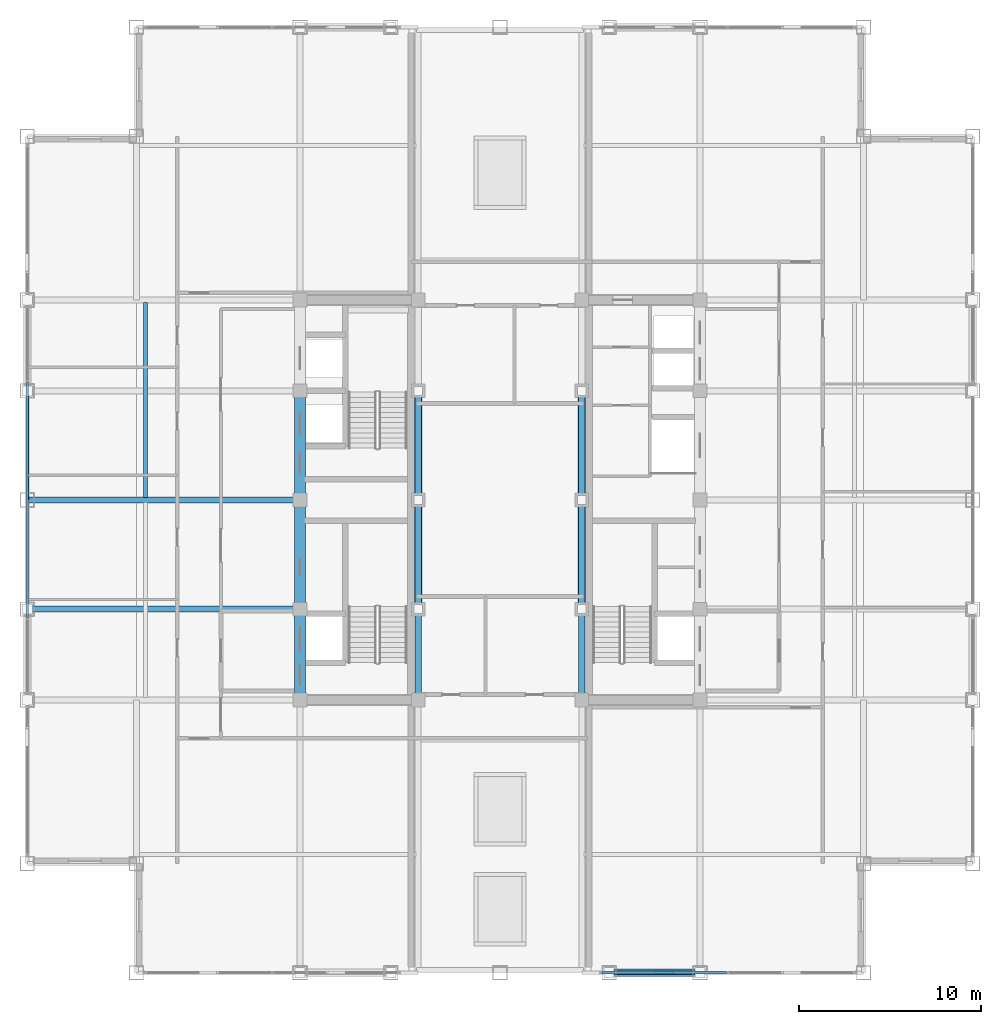
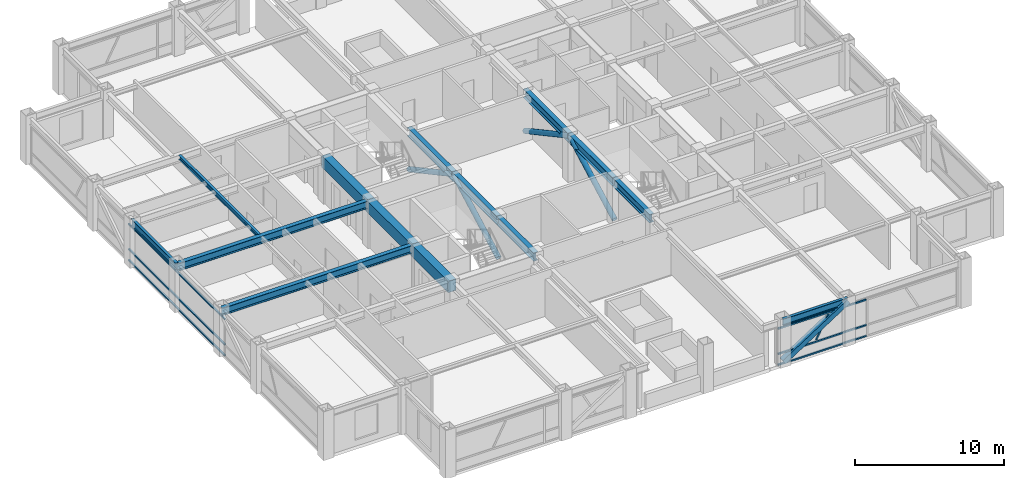
# One storey, part 8 of 29: 14 beams, 12 members, 2 elements without a shape of their own.
"""IFC4 building model written with IfcOpenShell, lengths in metres."""

import ifcopenshell
import ifcopenshell.guid

model = None  # the IFC model being written
_history = None  # IfcOwnerHistory: only IFC2X3 demands one
_inside = {}  # id of a spatial element -> (the spatial element, [elements in it])
_under = {}  # id of a project, library or spatial element -> (it, [spatial elements below it])
_declared = {}  # id of a project -> (the project, [libraries it declares])
_typed = {}  # id of a type object -> (the type object, [elements of that type])
_made_of = {}  # id of a material, layer set ... -> (it, [elements and type objects made of it])


def new_model(schema):
    """Start an empty IFC model of exactly this schema.

    Asked for "IFC4X3", IfcOpenShell would pick the latest addendum, in which some entities
    have other attributes; the version numbers below select the first issue.
    IFC2X3 requires an IfcOwnerHistory on every rooted entity: one is made here for all.
    """
    global model, _history
    if schema == "IFC4X3":
        model = ifcopenshell.file(schema_version=(4, 3, 0, 0))
    else:
        model = ifcopenshell.file(schema=schema)
    _inside.clear()
    _under.clear()
    _declared.clear()
    _typed.clear()
    _made_of.clear()
    _history = None
    if model.schema == "IFC2X3":
        org = make("IfcOrganization", Name="unknown")
        user = make(
            "IfcPersonAndOrganization",
            ThePerson=make("IfcPerson", FamilyName="unknown"),
            TheOrganization=org,
        )
        app = make(
            "IfcApplication",
            ApplicationDeveloper=org,
            Version="unknown",
            ApplicationFullName="unknown",
            ApplicationIdentifier="unknown",
        )
        _history = make(
            "IfcOwnerHistory",
            OwningUser=user,
            OwningApplication=app,
            ChangeAction="ADDED",
            CreationDate=0,
        )
    return model


def make(cls, **values):
    """One entity of the class cls with the attributes given. An attribute that is None is left unset."""
    return model.create_entity(
        cls, **{name: value for name, value in values.items() if value is not None}
    )


def rooted(cls, **values):
    """An entity with a GlobalId (a new one), such as an element, a storey or a relation."""
    return make(cls, GlobalId=ifcopenshell.guid.new(), OwnerHistory=_history, **values)


def si_unit(unit_type, name, prefix=None):
    """IfcSIUnit, for example si_unit("LENGTHUNIT", "METRE", prefix="MILLI")."""
    return make("IfcSIUnit", UnitType=unit_type, Prefix=prefix, Name=name)


def assignment(units):
    """IfcUnitAssignment: the units of a project."""
    return None if units is None else make("IfcUnitAssignment", Units=units)


def point(xyz):
    """IfcCartesianPoint."""
    return None if xyz is None else make("IfcCartesianPoint", Coordinates=xyz)


def direction(xyz):
    """IfcDirection."""
    return None if xyz is None else make("IfcDirection", DirectionRatios=xyz)


def frame(location, z_axis=None, x_axis=None):
    """IfcAxis2Placement3D, a coordinate frame: its origin and axes. An axis left out is left unset."""
    return make(
        "IfcAxis2Placement3D",
        Location=point(location),
        Axis=direction(z_axis),
        RefDirection=direction(x_axis),
    )


def frame_2d(location, x_axis=None):
    """IfcAxis2Placement2D, a coordinate frame in the plane: its origin and x axis."""
    return make(
        "IfcAxis2Placement2D", Location=point(location), RefDirection=direction(x_axis)
    )


def origin():
    """The frame at (0, 0, 0) with its axes left unset."""
    return frame((0.0, 0.0, 0.0))


def origin_2d():
    """The frame at (0, 0) in the plane with its x axis left unset."""
    return frame_2d((0.0, 0.0))


def place(relative_to, where):
    """IfcLocalPlacement: puts the frame where relative to a parent placement (None: the world)."""
    return make(
        "IfcLocalPlacement", PlacementRelTo=relative_to, RelativePlacement=where
    )


def context(
    kind, dimensions, precision=None, world=None, true_north=None, identifier=None
):
    """IfcGeometricRepresentationContext, for example the 3D "Model" context."""
    return make(
        "IfcGeometricRepresentationContext",
        ContextIdentifier=identifier,
        ContextType=kind,
        CoordinateSpaceDimension=dimensions,
        Precision=precision,
        WorldCoordinateSystem=world,
        TrueNorth=true_north,
    )


def subcontext(parent, identifier, kind, view, scale=None):
    """IfcGeometricRepresentationSubContext, for example "Body" below "Model"."""
    return make(
        "IfcGeometricRepresentationSubContext",
        ContextIdentifier=identifier,
        ContextType=kind,
        ParentContext=parent,
        TargetScale=scale,
        TargetView=view,
    )


def project(units=None, contexts=None):
    """IfcProject with its units and contexts."""
    return rooted(
        "IfcProject",
        Name="project",
        RepresentationContexts=contexts,
        UnitsInContext=assignment(units),
    )


def spatial(cls, under=None, at=None, **own):
    """A site, building, storey or space (cls), placed at a placement, below another one or the project."""
    s = rooted(cls, ObjectPlacement=at, **own)
    if under is not None:
        _under.setdefault(under.id(), (under, []))[1].append(s)
    return s


def profile(cls, at=None, kind="AREA", **sizes):
    """A parametric profile (cls). Its sizes go by their IFC names, for example OverallWidth=200.0."""
    return make(cls, ProfileType=kind, Position=at, **sizes)


def rectangle(**sizes):
    """IfcRectangleProfileDef."""
    return profile("IfcRectangleProfileDef", **sizes)


def hollow_rectangle(**sizes):
    """IfcRectangleHollowProfileDef."""
    return profile("IfcRectangleHollowProfileDef", **sizes)


def hollow_circle(**sizes):
    """IfcCircleHollowProfileDef."""
    return profile("IfcCircleHollowProfileDef", **sizes)


def i_section(**sizes):
    """IfcIShapeProfileDef."""
    return profile("IfcIShapeProfileDef", **sizes)


def extrude(swept, where, along, depth):
    """IfcExtrudedAreaSolid: the profile swept, set in the frame where, extruded along a direction by depth."""
    return make(
        "IfcExtrudedAreaSolid",
        SweptArea=swept,
        Position=where,
        ExtrudedDirection=direction(along),
        Depth=depth,
    )


def shape(context_of_items, identifier, shape_type, items):
    """IfcShapeRepresentation: the items that make up one representation, for example the "Body"."""
    return make(
        "IfcShapeRepresentation",
        ContextOfItems=context_of_items,
        RepresentationIdentifier=identifier,
        RepresentationType=shape_type,
        Items=items,
    )


def source(mapping_origin, context_of_items, identifier, shape_type, items):
    """IfcRepresentationMap: a shape defined once, which mapped items show again and again."""
    return make(
        "IfcRepresentationMap",
        MappingOrigin=mapping_origin,
        MappedRepresentation=shape(context_of_items, identifier, shape_type, items),
    )


def transform(
    local_origin,
    x_axis=None,
    y_axis=None,
    z_axis=None,
    scale=None,
    scale2=None,
    scale3=None,
    uniform=True,
):
    """IfcCartesianTransformationOperator3D, or its non-uniform kind. x_axis, y_axis, z_axis: its Axis1, 2, 3."""
    if uniform:
        return make(
            "IfcCartesianTransformationOperator3D",
            Axis1=direction(x_axis),
            Axis2=direction(y_axis),
            LocalOrigin=point(local_origin),
            Scale=scale,
            Axis3=direction(z_axis),
        )
    return make(
        "IfcCartesianTransformationOperator3DnonUniform",
        Axis1=direction(x_axis),
        Axis2=direction(y_axis),
        LocalOrigin=point(local_origin),
        Scale=scale,
        Axis3=direction(z_axis),
        Scale2=scale2,
        Scale3=scale3,
    )


def mapped(mapping_source, mapping_target):
    """IfcMappedItem: shows the shape of a source again, moved by a transform."""
    return make(
        "IfcMappedItem", MappingSource=mapping_source, MappingTarget=mapping_target
    )


def material(Name=None, Category=None):
    """IfcMaterial."""
    return make("IfcMaterial", Name=Name, Category=Category)


def material_profile(
    of_material, cross_section, Name=None, Category=None, Priority=None
):
    """IfcMaterialProfile: a cross section and its material."""
    return make(
        "IfcMaterialProfile",
        Name=Name,
        Material=of_material,
        Profile=cross_section,
        Priority=Priority,
        Category=Category,
    )


def profile_set(profiles, Name=None, composite=None):
    """IfcMaterialProfileSet."""
    return make(
        "IfcMaterialProfileSet",
        Name=Name,
        MaterialProfiles=profiles,
        CompositeProfile=composite,
    )


def made_of(thing, what):
    """Note that an element or type object is made of a material, layer set ...; save() writes the relation."""
    if what is not None:
        _made_of.setdefault(what.id(), (what, []))[1].append(thing)
    return thing


def type_object(cls, material=None, **own):
    """A type object (cls), such as IfcWallType, which elements share."""
    return made_of(rooted(cls, **own), material)


def element(
    cls,
    number,
    at=None,
    inside=None,
    cuts=None,
    type_object=None,
    material=None,
    context=None,
    identifier="Body",
    shape_type=None,
    held_by="IfcProductDefinitionShape",
    body=None,
    shapes=None,
    **own,
):
    """One element of the class cls, such as IfcWall. Its Tag is "e" and its number.

    at: its placement. inside: the storey or other place that contains it. cuts: it is an
    opening in that element (IfcRelVoidsElement). A single representation is given by context,
    identifier, shape_type and body (its items); several are given by shapes. held_by: the class
    of the entity that holds the representations. save() writes the other relations.
    """
    e = rooted(cls, Tag="e%d" % number, ObjectPlacement=at, **own)
    if body is not None:
        shapes = [shape(context, identifier, shape_type, body)]
    if shapes is not None:
        e.Representation = make(held_by, Representations=shapes)
    if inside is not None:
        _inside.setdefault(inside.id(), (inside, []))[1].append(e)
    if cuts is not None:
        rooted(
            "IfcRelVoidsElement", RelatingBuildingElement=cuts, RelatedOpeningElement=e
        )
    if type_object is not None:
        _typed.setdefault(type_object.id(), (type_object, []))[1].append(e)
    return made_of(e, material)


def aggregate(whole, parts):
    """IfcRelAggregates: a whole, such as a stair, and the parts it consists of."""
    return rooted("IfcRelAggregates", RelatingObject=whole, RelatedObjects=parts)


def save(model, path):
    """Write the relations noted so far, then the file.

    IfcRelAggregates (storeys below a building ...), IfcRelContainedInSpatialStructure (elements
    in a storey), IfcRelDefinesByType, IfcRelAssociatesMaterial and IfcRelDeclares: one each for
    every whole, place, type object, material and project.
    """
    for whole, parts in _under.values():
        aggregate(whole, parts)
    for where, things in _inside.values():
        rooted(
            "IfcRelContainedInSpatialStructure",
            RelatedElements=things,
            RelatingStructure=where,
        )
    for kind, things in _typed.values():
        rooted("IfcRelDefinesByType", RelatedObjects=things, RelatingType=kind)
    for what, things in _made_of.values():
        rooted("IfcRelAssociatesMaterial", RelatedObjects=things, RelatingMaterial=what)
    for by, libraries in _declared.values():
        rooted("IfcRelDeclares", RelatingContext=by, RelatedDefinitions=libraries)
    model.write(path)


model = new_model("IFC4")

# Units and contexts
model_context = context("Model", 3, precision=1e-05, world=origin(), true_north=direction((0.0, 1.0)))
body_context = subcontext(model_context, "Body", "Model", "MODEL_VIEW")
ifc_project = project(units=[si_unit("LENGTHUNIT", "METRE"), si_unit("AREAUNIT", "SQUARE_METRE"), si_unit("VOLUMEUNIT", "CUBIC_METRE"), si_unit("PLANEANGLEUNIT", "RADIAN"), si_unit("MASSUNIT", "GRAM", prefix="KILO")], contexts=[model_context])

# Site, building, storey
site_placement = place(None, origin())
site = spatial("IfcSite", under=ifc_project, at=site_placement, CompositionType="ELEMENT")
building_placement = place(site_placement, origin())
building = spatial("IfcBuilding", under=site, at=building_placement, Name="Khorayat Bourse Tower", CompositionType="ELEMENT")
storey_placement = place(building_placement, frame((0.0, 0.0, 346.300048828125)))
storey = spatial("IfcBuildingStorey", under=building, at=storey_placement, Name="L82", CompositionType="ELEMENT", Elevation=346.300048828125)

# Beams
ifc_material_1 = material(Name="Steel ASTM A992 Grade 50", Category="steel")
ifc_material_profile_1 = material_profile(ifc_material_1, i_section(OverallWidth=0.35498046875, OverallDepth=0.695068359375, WebThickness=0.015380859375, FlangeThickness=0.02490234375, FilletRadius=0.01806640625, at=origin_2d()), Name="W690X217")
ifc_profile_set_1 = profile_set([ifc_material_profile_1], Name="Steel ASTM A992 Grade 50")
beam_type_1 = type_object("IfcBeamType", Name="BM-GIRD-690", PredefinedType="BEAM", material=ifc_profile_set_1)
shared_shape_1 = source(origin(), body_context, "Body", "SweptSolid", [
    extrude(i_section(OverallWidth=0.35498046875, OverallDepth=0.695068359375, WebThickness=0.015380859375, FlangeThickness=0.02490234375, FilletRadius=0.01806640625, at=origin_2d()), origin(), (0.0, 0.0, 1.0), 5.0),
])
for number, where, z_axis, x_axis, name in (
    (1, (-4.5, -11.0, 3.392333984375), (0.0, 1.0, 0.0), (-1.0, 0.0, 0.0), "L82 BM-GIRD-690 BM-L82-CRX-05"),
    (2, (4.5, -11.0, 3.392333984375), (0.0, 1.0, 0.0), (-1.0, 0.0, 0.0), "L82 BM-GIRD-690 BM-L82-CRX-09"),
):
    element("IfcBeam", number, at=place(storey_placement, frame(where, z_axis=z_axis, x_axis=x_axis)), inside=storey, type_object=beam_type_1, Name=name, PredefinedType="BEAM", context=body_context, shape_type="MappedRepresentation", body=[
        mapped(shared_shape_1, transform((0.0, 0.0, 0.0), scale=1.0)),
    ])
shared_shape_2 = source(origin(), body_context, "Body", "SweptSolid", [
    extrude(i_section(OverallWidth=0.35498046875, OverallDepth=0.695068359375, WebThickness=0.015380859375, FlangeThickness=0.02490234375, FilletRadius=0.01806640625, at=origin_2d()), origin(), (0.0, 0.0, 1.0), 6.0),
])
for number, where, z_axis, x_axis, name in (
    (3, (-4.5, -6.0, 3.392333984375), (0.0, 1.0, 0.0), (-1.0, 0.0, 0.0), "L82 BM-GIRD-690 BM-L82-CRX-06"),
    (4, (-4.5, 0.0, 3.392333984375), (0.0, 1.0, 0.0), (-1.0, 0.0, 0.0), "L82 BM-GIRD-690 BM-L82-CRX-07"),
    (5, (4.5, -6.0, 3.392333984375), (0.0, 1.0, 0.0), (-1.0, 0.0, 0.0), "L82 BM-GIRD-690 BM-L82-CRX-10"),
    (6, (4.5, 0.0, 3.392333984375), (0.0, 1.0, 0.0), (-1.0, 0.0, 0.0), "L82 BM-GIRD-690 BM-L82-CRX-11"),
):
    element("IfcBeam", number, at=place(storey_placement, frame(where, z_axis=z_axis, x_axis=x_axis)), inside=storey, type_object=beam_type_1, Name=name, PredefinedType="BEAM", context=body_context, shape_type="MappedRepresentation", body=[
        mapped(shared_shape_2, transform((0.0, 0.0, 0.0), scale=1.0)),
    ])
ifc_material_2 = material(Name="Concrete C60/75", Category="concrete")
ifc_material_profile_2 = material_profile(ifc_material_2, rectangle(XDim=0.60009765625, YDim=0.949951171875, at=origin_2d()), Name="RC 600x950")
ifc_profile_set_2 = profile_set([ifc_material_profile_2], Name="Concrete C60/75")
beam_type_2 = type_object("IfcBeamType", Name="BM-COUP-950", PredefinedType="BEAM", material=ifc_profile_set_2)
shared_shape_3 = source(origin(), body_context, "Body", "SweptSolid", [
    extrude(rectangle(XDim=0.60009765625, YDim=0.949951171875, at=origin_2d()), origin(), (0.0, 0.0, 1.0), 5.0),
])
beam_1_placement = place(storey_placement, frame((-11.0, -11.0, 3.264892578125), z_axis=(0.0, 1.0, 0.0), x_axis=(-1.0, 0.0, 0.0)))
element("IfcBeam", 7, at=beam_1_placement, inside=storey, type_object=beam_type_2, Name="L82 BM-COUP-950 BM-L82-CRX-01", PredefinedType="BEAM", context=body_context, shape_type="MappedRepresentation", body=[
    mapped(shared_shape_3, transform((0.0, 0.0, 0.0), scale=1.0)),
])
shared_shape_4 = source(origin(), body_context, "Body", "SweptSolid", [
    extrude(rectangle(XDim=0.60009765625, YDim=0.949951171875, at=origin_2d()), origin(), (0.0, 0.0, 1.0), 6.0),
])
for number, where, z_axis, x_axis, name in (
    (8, (-11.0, -6.0, 3.264892578125), (0.0, 1.0, 0.0), (-1.0, 0.0, 0.0), "L82 BM-COUP-950 BM-L82-CRX-02"),
    (9, (-11.0, 0.0, 3.264892578125), (0.0, 1.0, 0.0), (-1.0, 0.0, 0.0), "L82 BM-COUP-950 BM-L82-CRX-03"),
):
    element("IfcBeam", number, at=place(storey_placement, frame(where, z_axis=z_axis, x_axis=x_axis)), inside=storey, type_object=beam_type_2, Name=name, PredefinedType="BEAM", context=body_context, shape_type="MappedRepresentation", body=[
        mapped(shared_shape_4, transform((0.0, 0.0, 0.0), scale=1.0)),
    ])
ifc_material_profile_3 = material_profile(ifc_material_1, i_section(OverallWidth=0.202880859375, OverallDepth=0.346923828125, WebThickness=0.0078125, FlangeThickness=0.013427734375, FilletRadius=0.010009765625, at=origin_2d()), Name="W360X64")
ifc_profile_set_3 = profile_set([ifc_material_profile_3], Name="Steel ASTM A992 Grade 50")
beam_type_3 = type_object("IfcBeamType", Name="BM-JOIST-360", PredefinedType="JOIST", material=ifc_profile_set_3)
shared_shape_5 = source(origin(), body_context, "Body", "SweptSolid", [
    extrude(i_section(OverallWidth=0.202880859375, OverallDepth=0.346923828125, WebThickness=0.0078125, FlangeThickness=0.013427734375, FilletRadius=0.010009765625, at=origin_2d()), origin(), (0.0, 0.0, 1.0), 10.740234375),
])
beam_2_placement = place(storey_placement, frame((-19.5, 0.1298828125, 3.56640625), z_axis=(0.0, 1.0, 0.0), x_axis=(-1.0, 0.0, 0.0)))
element("IfcBeam", 10, at=beam_2_placement, inside=storey, type_object=beam_type_3, Name="L82 BM-JOIST-360 BM-L82-JSTY-080", PredefinedType="JOIST", context=body_context, shape_type="MappedRepresentation", body=[
    mapped(shared_shape_5, transform((0.0, 0.0, 0.0), scale=1.0)),
])
ifc_material_profile_4 = material_profile(ifc_material_1, i_section(OverallWidth=0.214111328125, OverallDepth=0.549072265625, WebThickness=0.0146484375, FlangeThickness=0.023681640625, FilletRadius=0.013916015625, at=origin_2d()), Name="W530X138")
ifc_profile_set_4 = profile_set([ifc_material_profile_4], Name="Steel ASTM A992 Grade 50")
beam_type_4 = type_object("IfcBeamType", Name="BM-SPAN-530", PredefinedType="SPANDREL", material=ifc_profile_set_4)
shared_shape_6 = source(origin(), body_context, "Body", "SweptSolid", [
    extrude(i_section(OverallWidth=0.214111328125, OverallDepth=0.549072265625, WebThickness=0.0146484375, FlangeThickness=0.023681640625, FilletRadius=0.013916015625, at=origin_2d()), origin(), (0.0, 0.0, 1.0), 5.0),
])
beam_3_placement = place(storey_placement, frame((6.0, -26.0, 3.46533203125), z_axis=(1.0, 0.0, 0.0), x_axis=(0.0, 1.0, 0.0)))
element("IfcBeam", 11, at=beam_3_placement, inside=storey, type_object=beam_type_4, Name="L82 BM-SPAN-530 BM-L82-SPN-025", PredefinedType="SPANDREL", context=body_context, shape_type="MappedRepresentation", body=[
    mapped(shared_shape_6, transform((0.0, 0.0, 0.0), scale=1.0)),
])
shared_shape_7 = source(origin(), body_context, "Body", "SweptSolid", [
    extrude(i_section(OverallWidth=0.214111328125, OverallDepth=0.549072265625, WebThickness=0.0146484375, FlangeThickness=0.023681640625, FilletRadius=0.013916015625, at=origin_2d()), origin(), (0.0, 0.0, 1.0), 6.0),
])
beam_4_placement = place(storey_placement, frame((-26.0, 0.0, 3.46533203125), z_axis=(0.0, 1.0, 0.0), x_axis=(-1.0, 0.0, 0.0)))
element("IfcBeam", 12, at=beam_4_placement, inside=storey, type_object=beam_type_4, Name="L82 BM-SPAN-530 BM-L82-SPN-047", PredefinedType="SPANDREL", context=body_context, shape_type="MappedRepresentation", body=[
    mapped(shared_shape_7, transform((0.0, 0.0, 0.0), scale=1.0)),
])
ifc_material_profile_5 = material_profile(ifc_material_1, i_section(OverallWidth=0.324951171875, OverallDepth=0.615966796875, WebThickness=0.013916015625, FlangeThickness=0.021484375, FilletRadius=0.01611328125, at=origin_2d()), Name="W610X174")
ifc_profile_set_5 = profile_set([ifc_material_profile_5], Name="Steel ASTM A992 Grade 50")
beam_type_5 = type_object("IfcBeamType", Name="BM-GIRD-610", PredefinedType="BEAM", material=ifc_profile_set_5)
shared_shape_8 = source(origin(), body_context, "Body", "SweptSolid", [
    extrude(i_section(OverallWidth=0.324951171875, OverallDepth=0.615966796875, WebThickness=0.013916015625, FlangeThickness=0.021484375, FilletRadius=0.01611328125, at=origin_2d()), origin(), (0.0, 0.0, 1.0), 15.0),
])
for number, where, z_axis, x_axis, name in (
    (13, (-26.0, -6.0, 3.431884765625), (1.0, 0.0, 0.0), (0.0, 1.0, 0.0), "L82 BM-GIRD-610 BM-L82-RADX-064"),
    (14, (-26.0, 0.0, 3.431884765625), (1.0, 0.0, 0.0), (0.0, 1.0, 0.0), "L82 BM-GIRD-610 BM-L82-RADX-066"),
):
    element("IfcBeam", number, at=place(storey_placement, frame(where, z_axis=z_axis, x_axis=x_axis)), inside=storey, type_object=beam_type_5, Name=name, PredefinedType="BEAM", context=body_context, shape_type="MappedRepresentation", body=[
        mapped(shared_shape_8, transform((0.0, 0.0, 0.0), scale=1.0)),
    ])

# Members
ifc_material_3 = material(Name="Steel EN 10025-4 S460M", Category="steel")
ifc_material_profile_6 = material_profile(ifc_material_3, hollow_rectangle(XDim=0.39990234375, YDim=0.39990234375, WallThickness=0.02197265625, at=origin_2d()), Name="HSS 400x400x22")
ifc_profile_set_6 = profile_set([ifc_material_profile_6], Name="Steel EN 10025-4 S460M")
member_type_1 = type_object("IfcMemberType", Name="MBR-TUBE-400", PredefinedType="BRACE", material=ifc_profile_set_6)
shared_shape_9 = source(origin(), body_context, "Body", "SweptSolid", [
    extrude(hollow_rectangle(XDim=0.39990234375, YDim=0.39990234375, WallThickness=0.02197265625, at=origin_2d()), origin(), (0.0, 0.0, 1.0), 5.9580078125),
])
member_1_placement = place(storey_placement, frame((6.0, -26.0, 0.25), z_axis=(0.839210474455, 0.0, 0.543806748364), x_axis=(0.0, 1.0, 0.0)))
element("IfcMember", 15, at=member_1_placement, inside=storey, type_object=member_type_1, Name="L82 Perimeter Tube Brace 02", PredefinedType="BRACE", context=body_context, shape_type="MappedRepresentation", body=[
    mapped(shared_shape_9, transform((0.0, 0.0, 0.0), scale=1.0)),
])
ifc_material_4 = material(Name="Steel EN 10025-2 S355J2", Category="steel")
ifc_material_profile_7 = material_profile(ifc_material_4, hollow_circle(Radius=0.203125, WallThickness=0.02001953125, at=origin_2d()), Name="CHS 406x20")
ifc_profile_set_7 = profile_set([ifc_material_profile_7], Name="Steel EN 10025-2 S355J2")
member_type_2 = type_object("IfcMemberType", Name="MBR-STRUT-406", PredefinedType="STRUT", material=ifc_profile_set_7)
shared_shape_10 = source(origin(), body_context, "Body", "SweptSolid", [
    extrude(hollow_circle(Radius=0.203125, WallThickness=0.02001953125, at=origin_2d()), origin(), (0.0, 0.0, 1.0), 6.81884765625),
])
for number, where, z_axis, x_axis, name in (
    (16, (-4.5, -6.0, 0.25), (0.0, 0.879905996414, 0.475147805925), (-1.0, 0.0, 0.0), "L82 Wind Portal Bracing Strut 01"),
    (17, (-4.5, 6.0, 0.25), (0.0, -0.879905996414, 0.475147805925), (1.0, 0.0, 0.0), "L82 Wind Portal Bracing Strut 02"),
    (18, (4.5, -6.0, 0.25), (0.0, 0.879905996414, 0.475147805925), (-1.0, 0.0, 0.0), "L82 Wind Portal Bracing Strut 03"),
    (19, (4.5, 6.0, 0.25), (0.0, -0.879905996414, 0.475147805925), (1.0, 0.0, 0.0), "L82 Wind Portal Bracing Strut 04"),
):
    element("IfcMember", number, at=place(storey_placement, frame(where, z_axis=z_axis, x_axis=x_axis)), inside=storey, type_object=member_type_2, Name=name, PredefinedType="STRUT", context=body_context, shape_type="MappedRepresentation", body=[
        mapped(shared_shape_10, transform((0.0, 0.0, 0.0), scale=1.0)),
    ])

# Curtain wall, members
ifc_material_5 = material(Name="Aluminium EN AW-6063 T6", Category="aluminium")
curtain_wall_type = type_object("IfcCurtainWallType", Name="CW-SYS-06", PredefinedType="NOTDEFINED", material=ifc_material_5)
curtain_wall_1_placement = place(storey_placement, origin())
curtain_wall_1 = element("IfcCurtainWall", 20, at=curtain_wall_1_placement, inside=storey, type_object=curtain_wall_type, Name="L82 Curtain Wall CW-L82-S2", PredefinedType="NOTDEFINED")
ifc_material_profile_8 = material_profile(ifc_material_5, hollow_rectangle(XDim=0.1201171875, YDim=0.1201171875, WallThickness=0.0048828125, at=origin_2d()), Name="ALU 120x120x5")
ifc_profile_set_8 = profile_set([ifc_material_profile_8], Name="Aluminium EN AW-6063 T6")
member_type_3 = type_object("IfcMemberType", Name="CWM-DIAG-120", PredefinedType="MULLION", material=ifc_profile_set_8)
shared_shape_11 = source(origin(), body_context, "Body", "SweptSolid", [
    extrude(hollow_rectangle(XDim=0.1201171875, YDim=0.1201171875, WallThickness=0.0048828125, at=origin_2d()), origin(), (0.0, 0.0, 1.0), 2.0341796875),
])
member_2_placement = place(storey_placement, frame((8.56884765625, -26.0, 1.08984375), z_axis=(0.465696964104, 0.0, 0.884944256789), x_axis=(0.0, 1.0, 0.0)))
member_2 = element("IfcMember", 21, at=member_2_placement, type_object=member_type_3, Name="CW-L82-S2 Faceted Diagonal Mullion 1", PredefinedType="MULLION", context=body_context, shape_type="MappedRepresentation", body=[
    mapped(shared_shape_11, transform((0.0, 0.0, 0.0), scale=1.0)),
])
ifc_material_profile_9 = material_profile(ifc_material_5, hollow_rectangle(XDim=0.1201171875, YDim=0.1201171875, WallThickness=0.0048828125, at=origin_2d()), Name="ALU 120x120x5")
ifc_profile_set_9 = profile_set([ifc_material_profile_9], Name="Aluminium EN AW-6063 T6")
member_type_4 = type_object("IfcMemberType", Name="CWT-HORZ-120", PredefinedType="USERDEFINED", material=ifc_profile_set_9)
shared_shape_12 = source(origin(), body_context, "Body", "SweptSolid", [
    extrude(hollow_rectangle(XDim=0.1201171875, YDim=0.1201171875, WallThickness=0.0048828125, at=origin_2d()), origin(), (0.0, 0.0, 1.0), 6.844970703125),
])
member_3_placement = place(storey_placement, frame((5.6201171875, -26.0, 0.06005859375), z_axis=(1.0, 0.0, 0.0), x_axis=(0.0, 1.0, 0.0)))
member_3 = element("IfcMember", 22, at=member_3_placement, type_object=member_type_4, Name="CW-L82-S2 Horizontal Transom 1-1", ObjectType="TRANSOM", PredefinedType="USERDEFINED", context=body_context, shape_type="MappedRepresentation", body=[
    mapped(shared_shape_12, transform((0.0, 0.0, 0.0), scale=1.0)),
])
member_4_placement = place(storey_placement, frame((5.6201171875, -26.0, 0.949951171875), z_axis=(1.0, 0.0, 0.0), x_axis=(0.0, 1.0, 0.0)))
member_4 = element("IfcMember", 23, at=member_4_placement, type_object=member_type_4, Name="CW-L82-S2 Horizontal Transom 1-2", ObjectType="TRANSOM", PredefinedType="USERDEFINED", context=body_context, shape_type="MappedRepresentation", body=[
    mapped(shared_shape_12, transform((0.0, 0.0, 0.0), scale=1.0)),
])
member_5_placement = place(storey_placement, frame((5.6201171875, -26.0, 3.030029296875), z_axis=(1.0, 0.0, 0.0), x_axis=(0.0, 1.0, 0.0)))
member_5 = element("IfcMember", 24, at=member_5_placement, type_object=member_type_4, Name="CW-L82-S2 Horizontal Transom 1-3", ObjectType="TRANSOM", PredefinedType="USERDEFINED", context=body_context, shape_type="MappedRepresentation", body=[
    mapped(shared_shape_12, transform((0.0, 0.0, 0.0), scale=1.0)),
])
aggregate(curtain_wall_1, [member_3, member_4, member_5, member_2])

curtain_wall_2_placement = place(storey_placement, origin())
curtain_wall_2 = element("IfcCurtainWall", 25, at=curtain_wall_2_placement, inside=storey, type_object=curtain_wall_type, Name="L82 Curtain Wall CW-L82-W1", PredefinedType="NOTDEFINED")
shared_shape_13 = source(origin(), body_context, "Body", "SweptSolid", [
    extrude(hollow_rectangle(XDim=0.1201171875, YDim=0.1201171875, WallThickness=0.0048828125, at=origin_2d()), origin(), (0.0, 0.0, 1.0), 12.91357421875),
])
member_6_placement = place(storey_placement, frame((-26.0, 6.456787109375, 0.06005859375), z_axis=(0.0, -1.0, 0.0), x_axis=(1.0, 0.0, 0.0)))
member_6 = element("IfcMember", 26, at=member_6_placement, type_object=member_type_4, Name="CW-L82-W1 Horizontal Transom 2-1", ObjectType="TRANSOM", PredefinedType="USERDEFINED", context=body_context, shape_type="MappedRepresentation", body=[
    mapped(shared_shape_13, transform((0.0, 0.0, 0.0), scale=1.0)),
])
member_7_placement = place(storey_placement, frame((-26.0, 6.456787109375, 0.949951171875), z_axis=(0.0, -1.0, 0.0), x_axis=(1.0, 0.0, 0.0)))
member_7 = element("IfcMember", 27, at=member_7_placement, type_object=member_type_4, Name="CW-L82-W1 Horizontal Transom 2-2", ObjectType="TRANSOM", PredefinedType="USERDEFINED", context=body_context, shape_type="MappedRepresentation", body=[
    mapped(shared_shape_13, transform((0.0, 0.0, 0.0), scale=1.0)),
])
member_8_placement = place(storey_placement, frame((-26.0, 6.456787109375, 3.030029296875), z_axis=(0.0, -1.0, 0.0), x_axis=(1.0, 0.0, 0.0)))
member_8 = element("IfcMember", 28, at=member_8_placement, type_object=member_type_4, Name="CW-L82-W1 Horizontal Transom 2-3", ObjectType="TRANSOM", PredefinedType="USERDEFINED", context=body_context, shape_type="MappedRepresentation", body=[
    mapped(shared_shape_13, transform((0.0, 0.0, 0.0), scale=1.0)),
])
aggregate(curtain_wall_2, [member_6, member_7, member_8])

save(model, "model.ifc")
